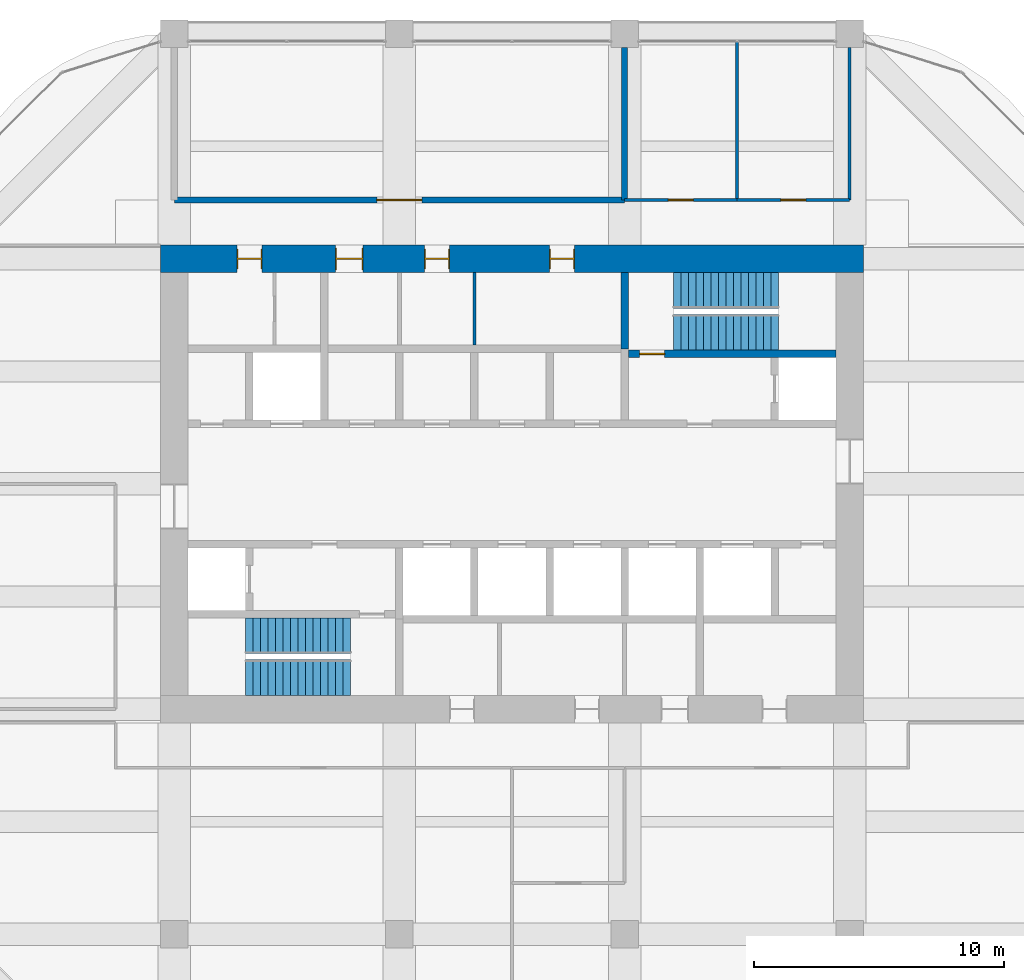
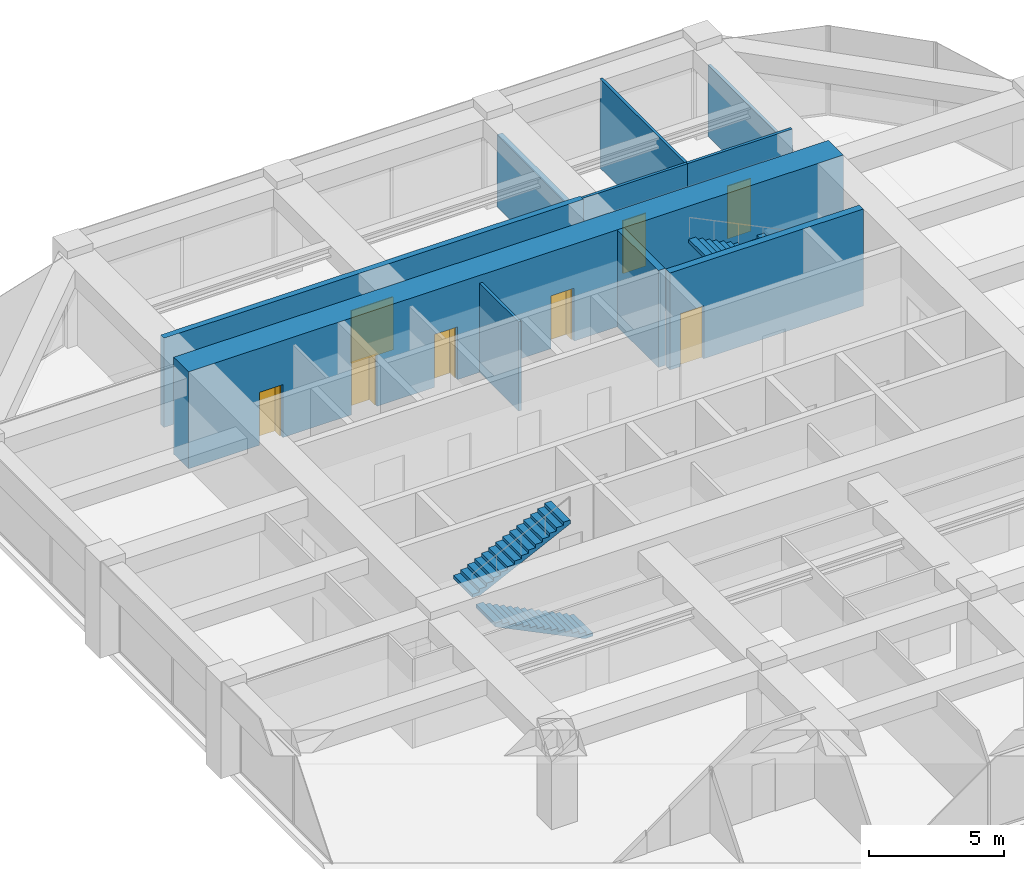
# One storey, part 43 of 44: 10 walls, 8 doors, 4 stair flights, 8 openings, 2 elements without a shape of their own.
"""IFC4 building model written with IfcOpenShell, lengths in metres."""

from ifc_helpers import new_model, si_unit, direction, frame, frame_2d, origin, place, context, subcontext, project, spatial, polyline, rectangle, outline, extrude, material, layer, layer_set, type_object, element, fill, aggregate, save


model = new_model("IFC4")

# Units and contexts
model_context = context("Model", 3, precision=1e-05, world=origin(), true_north=direction((0.0, 1.0)))
body_context = subcontext(model_context, "Body", "Model", "MODEL_VIEW")
ifc_project = project(units=[si_unit("LENGTHUNIT", "METRE"), si_unit("AREAUNIT", "SQUARE_METRE"), si_unit("VOLUMEUNIT", "CUBIC_METRE"), si_unit("PLANEANGLEUNIT", "RADIAN"), si_unit("MASSUNIT", "GRAM", prefix="KILO")], contexts=[model_context])

# Site, building, storey
site_placement = place(None, origin())
site = spatial("IfcSite", under=ifc_project, at=site_placement, CompositionType="ELEMENT")
building_placement = place(site_placement, origin())
building = spatial("IfcBuilding", under=site, at=building_placement, Name="Zorevar Civic Tower", CompositionType="ELEMENT")
storey_placement = place(building_placement, frame((0.0, 0.0, 307.39990234375)))
storey = spatial("IfcBuildingStorey", under=building, at=storey_placement, Name="L75", CompositionType="ELEMENT", Elevation=307.39990234375)

# Wall, opening, door
ifc_material_1 = material(Name="Twin-stud acoustic wall, gypsum board")
ifc_layer_1 = layer(ifc_material_1, 0.25)
ifc_layer_set_1 = layer_set([ifc_layer_1], Name="Acoustic wall 250")
wall_type_1 = type_object("IfcWallType", Name="Acoustic wall 250", PredefinedType="PARTITIONING", material=ifc_layer_set_1)
wall_1_placement = place(storey_placement, frame((18.0, 38.35009765625, 0.0), z_axis=(0.0, 0.0, 1.0), x_axis=(1.0, 0.0, 0.0)))
wall_1 = element("IfcWall", 1, at=wall_1_placement, inside=storey, type_object=wall_type_1, Name="Acoustic wall 250 L75", PredefinedType="PARTITIONING", context=body_context, shape_type="SweptSolid", body=[
    extrude(rectangle(XDim=18.0, YDim=0.25, at=frame_2d((9.0, 0.0))), origin(), (0.0, 0.0, 1.0), 4.050048828125),
])
opening_1_placement = place(wall_1_placement, frame((8.10009765625, 0.0, 0.0)))
opening_1 = element("IfcOpeningElement", 2, at=opening_1_placement, cuts=wall_1, Name="Opening L75.25", PredefinedType="OPENING", context=body_context, shape_type="SweptSolid", body=[
    extrude(rectangle(XDim=1.800048828125, YDim=2.39990234375, at=frame_2d((0.89990234375, 1.199951171875))), frame((0.0, 0.135009765625, 0.0), z_axis=(0.0, -1.0, 0.0), x_axis=(1.0, 0.0, 0.0)), (0.0, 0.0, 1.0), 0.27001953125),
])
ifc_material_2 = material(Name="Steel door set", Category="steel")
door_type_1 = type_object("IfcDoorType", Name="Door D2 1800x2400", OperationType="DOUBLE_DOOR_SINGLE_SWING", PredefinedType="DOOR", material=ifc_material_2)
door_1_placement = place(opening_1_placement, origin())
door_1 = element("IfcDoor", 3, at=door_1_placement, inside=storey, type_object=door_type_1, Name="Door L75 D1", OperationType="DOUBLE_DOOR_SINGLE_SWING", OverallHeight=2.39990234375, OverallWidth=1.800048828125, PredefinedType="DOOR", context=body_context, shape_type="SweptSolid", body=[
    extrude(rectangle(XDim=1.800048828125, YDim=2.39990234375, at=frame_2d((0.89990234375, 1.199951171875))), frame((0.0, 0.02490234375, 0.0), z_axis=(0.0, -1.0, 0.0), x_axis=(1.0, 0.0, 0.0)), (0.0, 0.0, 1.0), 0.050048828125),
])
fill(opening_1, door_1)

# Wall
wall_2_placement = place(storey_placement, frame((36.0, 38.35009765625, 0.0), z_axis=(0.0, 0.0, 1.0), x_axis=(0.0, 1.0, 0.0)))
element("IfcWall", 4, at=wall_2_placement, inside=storey, type_object=wall_type_1, Name="Acoustic wall 250 L75", PredefinedType="PARTITIONING", context=body_context, shape_type="SweptSolid", body=[
    extrude(rectangle(XDim=6.099853515625, YDim=0.25, at=frame_2d((3.0498046875, 0.0))), origin(), (0.0, 0.0, 1.0), 3.25),
])

# Wall, openings, doors
ifc_material_3 = material(Name="Concrete C50/60", Category="concrete")
ifc_layer_2 = layer(ifc_material_3, 1.10009765625)
ifc_layer_set_2 = layer_set([ifc_layer_2], Name="Core wall 1100")
wall_type_2 = type_object("IfcWallType", Name="Core wall 1100", PredefinedType="SHEAR", material=ifc_layer_set_2)
wall_3_placement = place(storey_placement, frame((45.550048828125, 36.0, 0.0), z_axis=(0.0, 0.0, 1.0), x_axis=(-1.0, 0.0, 0.0)))
wall_3 = element("IfcWall", 5, at=wall_3_placement, inside=storey, type_object=wall_type_2, Name="Core wall N L75", PredefinedType="SHEAR", context=body_context, shape_type="SweptSolid", body=[
    extrude(rectangle(XDim=28.10009765625, YDim=1.10009765625, at=frame_2d((14.050048828125, 0.0))), origin(), (0.0, 0.0, 1.0), 4.400146484375),
])
opening_2_placement = place(wall_3_placement, frame((11.550048828125, 0.0, 0.0)))
opening_2 = element("IfcOpeningElement", 6, at=opening_2_placement, cuts=wall_3, Name="Opening L75.07", PredefinedType="OPENING", context=body_context, shape_type="SweptSolid", body=[
    extrude(rectangle(XDim=1.0, YDim=2.39990234375, at=frame_2d((0.5, 1.199951171875))), frame((0.0, 0.56005859375, 0.0), z_axis=(0.0, -1.0, 0.0), x_axis=(1.0, 0.0, 0.0)), (0.0, 0.0, 1.0), 1.1201171875),
])
opening_3_placement = place(wall_3_placement, frame((16.550048828125, 0.0, 0.0)))
opening_3 = element("IfcOpeningElement", 7, at=opening_3_placement, cuts=wall_3, Name="Opening L75.08", PredefinedType="OPENING", context=body_context, shape_type="SweptSolid", body=[
    extrude(rectangle(XDim=1.0, YDim=2.39990234375, at=frame_2d((0.5, 1.199951171875))), frame((0.0, 0.56005859375, 0.0), z_axis=(0.0, -1.0, 0.0), x_axis=(1.0, 0.0, 0.0)), (0.0, 0.0, 1.0), 1.1201171875),
])
opening_4_placement = place(wall_3_placement, frame((20.0, 0.0, 0.0)))
opening_4 = element("IfcOpeningElement", 8, at=opening_4_placement, cuts=wall_3, Name="Opening L75.09", PredefinedType="OPENING", context=body_context, shape_type="SweptSolid", body=[
    extrude(rectangle(XDim=1.10009765625, YDim=2.39990234375, at=frame_2d((0.550048828125, 1.199951171875))), frame((0.0, 0.56005859375, 0.0), z_axis=(0.0, -1.0, 0.0), x_axis=(1.0, 0.0, 0.0)), (0.0, 0.0, 1.0), 1.1201171875),
])
opening_5_placement = place(wall_3_placement, frame((24.050048828125, 0.0, 0.0)))
opening_5 = element("IfcOpeningElement", 9, at=opening_5_placement, cuts=wall_3, Name="Opening L75.10", PredefinedType="OPENING", context=body_context, shape_type="SweptSolid", body=[
    extrude(rectangle(XDim=1.0, YDim=2.39990234375, at=frame_2d((0.5, 1.199951171875))), frame((0.0, 0.56005859375, 0.0), z_axis=(0.0, -1.0, 0.0), x_axis=(1.0, 0.0, 0.0)), (0.0, 0.0, 1.0), 1.1201171875),
])
ifc_material_4 = material(Name="Timber door set", Category="wood")
door_type_2 = type_object("IfcDoorType", Name="Door D1 1000x2400", OperationType="SINGLE_SWING_LEFT", PredefinedType="DOOR", material=ifc_material_4)
door_2_placement = place(opening_2_placement, origin())
door_2 = element("IfcDoor", 10, at=door_2_placement, inside=storey, type_object=door_type_2, Name="Door L75 06", OperationType="SINGLE_SWING_LEFT", OverallHeight=2.39990234375, OverallWidth=1.0, PredefinedType="DOOR", context=body_context, shape_type="SweptSolid", body=[
    extrude(rectangle(XDim=1.0, YDim=2.39990234375, at=frame_2d((0.5, 1.199951171875))), frame((0.0, 0.02490234375, 0.0), z_axis=(0.0, -1.0, 0.0), x_axis=(1.0, 0.0, 0.0)), (0.0, 0.0, 1.0), 0.050048828125),
    extrude(rectangle(XDim=0.04, YDim=2.39990234375, at=frame_2d((0.02001953125, 1.199951171875))), frame((0.0, 0.39990234375, 0.0), z_axis=(0.0, -1.0, 0.0), x_axis=(1.0, 0.0, 0.0)), (0.0, 0.0, 1.0), 0.800048828125),
    extrude(rectangle(XDim=0.04, YDim=2.39990234375, at=frame_2d((0.97998046875, 1.199951171875))), frame((0.0, 0.39990234375, 0.0), z_axis=(0.0, -1.0, 0.0), x_axis=(1.0, 0.0, 0.0)), (0.0, 0.0, 1.0), 0.800048828125),
    extrude(rectangle(XDim=1.0, YDim=0.04, at=frame_2d((0.5, 2.3798828125))), frame((0.0, 0.39990234375, 0.0), z_axis=(0.0, -1.0, 0.0), x_axis=(1.0, 0.0, 0.0)), (0.0, 0.0, 1.0), 0.800048828125),
])
fill(opening_2, door_2)
door_3_placement = place(opening_3_placement, origin())
door_3 = element("IfcDoor", 11, at=door_3_placement, inside=storey, type_object=door_type_2, Name="Door L75 07", OperationType="SINGLE_SWING_RIGHT", OverallHeight=2.39990234375, OverallWidth=1.0, PredefinedType="DOOR", context=body_context, shape_type="SweptSolid", body=[
    extrude(rectangle(XDim=1.0, YDim=2.39990234375, at=frame_2d((0.5, 1.199951171875))), frame((0.0, 0.02490234375, 0.0), z_axis=(0.0, -1.0, 0.0), x_axis=(1.0, 0.0, 0.0)), (0.0, 0.0, 1.0), 0.050048828125),
    extrude(rectangle(XDim=0.04, YDim=2.39990234375, at=frame_2d((0.02001953125, 1.199951171875))), frame((0.0, 0.39990234375, 0.0), z_axis=(0.0, -1.0, 0.0), x_axis=(1.0, 0.0, 0.0)), (0.0, 0.0, 1.0), 0.800048828125),
    extrude(rectangle(XDim=0.04, YDim=2.39990234375, at=frame_2d((0.97998046875, 1.199951171875))), frame((0.0, 0.39990234375, 0.0), z_axis=(0.0, -1.0, 0.0), x_axis=(1.0, 0.0, 0.0)), (0.0, 0.0, 1.0), 0.800048828125),
    extrude(rectangle(XDim=1.0, YDim=0.04, at=frame_2d((0.5, 2.3798828125))), frame((0.0, 0.39990234375, 0.0), z_axis=(0.0, -1.0, 0.0), x_axis=(1.0, 0.0, 0.0)), (0.0, 0.0, 1.0), 0.800048828125),
])
fill(opening_3, door_3)
door_4_placement = place(opening_5_placement, origin())
door_4 = element("IfcDoor", 12, at=door_4_placement, inside=storey, type_object=door_type_2, Name="Door L75 09", OperationType="SINGLE_SWING_RIGHT", OverallHeight=2.39990234375, OverallWidth=1.0, PredefinedType="DOOR", context=body_context, shape_type="SweptSolid", body=[
    extrude(rectangle(XDim=1.0, YDim=2.39990234375, at=frame_2d((0.5, 1.199951171875))), frame((0.0, 0.02490234375, 0.0), z_axis=(0.0, -1.0, 0.0), x_axis=(1.0, 0.0, 0.0)), (0.0, 0.0, 1.0), 0.050048828125),
    extrude(rectangle(XDim=0.04, YDim=2.39990234375, at=frame_2d((0.02001953125, 1.199951171875))), frame((0.0, 0.39990234375, 0.0), z_axis=(0.0, -1.0, 0.0), x_axis=(1.0, 0.0, 0.0)), (0.0, 0.0, 1.0), 0.800048828125),
    extrude(rectangle(XDim=0.04, YDim=2.39990234375, at=frame_2d((0.97998046875, 1.199951171875))), frame((0.0, 0.39990234375, 0.0), z_axis=(0.0, -1.0, 0.0), x_axis=(1.0, 0.0, 0.0)), (0.0, 0.0, 1.0), 0.800048828125),
    extrude(rectangle(XDim=1.0, YDim=0.04, at=frame_2d((0.5, 2.3798828125))), frame((0.0, 0.39990234375, 0.0), z_axis=(0.0, -1.0, 0.0), x_axis=(1.0, 0.0, 0.0)), (0.0, 0.0, 1.0), 0.800048828125),
])
fill(opening_5, door_4)
ifc_material_5 = material(Name="Timber door set", Category="wood")
door_type_3 = type_object("IfcDoorType", Name="Door D5 1100x2400", OperationType="SINGLE_SWING_LEFT", PredefinedType="DOOR", material=ifc_material_5)
door_5_placement = place(opening_4_placement, origin())
door_5 = element("IfcDoor", 13, at=door_5_placement, inside=storey, type_object=door_type_3, Name="Door L75 08", OperationType="SINGLE_SWING_RIGHT", OverallHeight=2.39990234375, OverallWidth=1.10009765625, PredefinedType="DOOR", context=body_context, shape_type="SweptSolid", body=[
    extrude(rectangle(XDim=1.10009765625, YDim=2.39990234375, at=frame_2d((0.550048828125, 1.199951171875))), frame((0.0, 0.02490234375, 0.0), z_axis=(0.0, -1.0, 0.0), x_axis=(1.0, 0.0, 0.0)), (0.0, 0.0, 1.0), 0.050048828125),
    extrude(rectangle(XDim=0.04, YDim=2.39990234375, at=frame_2d((0.02001953125, 1.199951171875))), frame((0.0, 0.43994140625, 0.0), z_axis=(0.0, -1.0, 0.0), x_axis=(1.0, 0.0, 0.0)), (0.0, 0.0, 1.0), 0.880126953125),
    extrude(rectangle(XDim=0.04, YDim=2.39990234375, at=frame_2d((1.080078125, 1.199951171875))), frame((0.0, 0.43994140625, 0.0), z_axis=(0.0, -1.0, 0.0), x_axis=(1.0, 0.0, 0.0)), (0.0, 0.0, 1.0), 0.880126953125),
    extrude(rectangle(XDim=1.10009765625, YDim=0.04, at=frame_2d((0.550048828125, 2.3798828125))), frame((0.0, 0.43994140625, 0.0), z_axis=(0.0, -1.0, 0.0), x_axis=(1.0, 0.0, 0.0)), (0.0, 0.0, 1.0), 0.880126953125),
])
fill(opening_4, door_5)

# Wall, opening, door
ifc_material_6 = material(Name="Concrete C40/50", Category="concrete")
ifc_layer_3 = layer(ifc_material_6, 0.300048828125)
ifc_layer_set_3 = layer_set([ifc_layer_3], Name="Inner core wall 300")
wall_type_3 = type_object("IfcWallType", Name="Inner core wall 300", PredefinedType="SHEAR", material=ifc_layer_set_3)
wall_4_placement = place(storey_placement, frame((36.14990234375, 32.199951171875, 0.0), z_axis=(0.0, 0.0, 1.0), x_axis=(1.0, 0.0, 0.0)))
wall_4 = element("IfcWall", 14, at=wall_4_placement, inside=storey, type_object=wall_type_3, Name="Inner core wall N00 L75", PredefinedType="SHEAR", context=body_context, shape_type="SweptSolid", body=[
    extrude(rectangle(XDim=8.300048828125, YDim=0.300048828125, at=frame_2d((4.14990234375, 0.0))), origin(), (0.0, 0.0, 1.0), 4.400146484375),
])
opening_6_placement = place(wall_4_placement, frame((0.449951171875, 0.0, 0.0)))
opening_6 = element("IfcOpeningElement", 15, at=opening_6_placement, cuts=wall_4, Name="Opening L75.12", PredefinedType="OPENING", context=body_context, shape_type="SweptSolid", body=[
    extrude(rectangle(XDim=1.0, YDim=2.39990234375, at=frame_2d((0.5, 1.199951171875))), frame((0.0, 0.159912109375, 0.0), z_axis=(0.0, -1.0, 0.0), x_axis=(1.0, 0.0, 0.0)), (0.0, 0.0, 1.0), 0.320068359375),
])
ifc_material_7 = material(Name="Steel door set", Category="steel")
door_type_4 = type_object("IfcDoorType", Name="Fire door FD1 1000x2400", OperationType="SINGLE_SWING_LEFT", PredefinedType="DOOR", material=ifc_material_7)
door_6_placement = place(opening_6_placement, origin())
door_6 = element("IfcDoor", 16, at=door_6_placement, inside=storey, type_object=door_type_4, Name="Door L75 11", OperationType="SINGLE_SWING_RIGHT", OverallHeight=2.39990234375, OverallWidth=1.0, PredefinedType="DOOR", context=body_context, shape_type="SweptSolid", body=[
    extrude(rectangle(XDim=1.0, YDim=2.39990234375, at=frame_2d((0.5, 1.199951171875))), frame((0.0, 0.030029296875, 0.0), z_axis=(0.0, -1.0, 0.0), x_axis=(1.0, 0.0, 0.0)), (0.0, 0.0, 1.0), 0.06005859375),
])
fill(opening_6, door_6)

# Wall
wall_5_placement = place(storey_placement, frame((36.0, 32.39990234375, 0.0), z_axis=(0.0, 0.0, 1.0), x_axis=(0.0, 1.0, 0.0)))
element("IfcWall", 17, at=wall_5_placement, inside=storey, type_object=wall_type_3, Name="Inner core wall N01 L75", PredefinedType="SHEAR", context=body_context, shape_type="SweptSolid", body=[
    extrude(rectangle(XDim=3.050048828125, YDim=0.300048828125, at=frame_2d((1.52490234375, 0.0))), origin(), (0.0, 0.0, 1.0), 4.400146484375),
])

# Wall, opening, door
ifc_material_8 = material(Name="Gypsum board on steel studs", Category="steel")
ifc_layer_4 = layer(ifc_material_8, 0.1201171875)
ifc_layer_set_4 = layer_set([ifc_layer_4], Name="Partition 120")
wall_type_4 = type_object("IfcWallType", Name="Partition 120", PredefinedType="PARTITIONING", material=ifc_layer_set_4)
wall_6_placement = place(storey_placement, frame((36.0, 38.35009765625, 0.0), z_axis=(0.0, 0.0, 1.0), x_axis=(1.0, 0.0, 0.0)))
wall_6 = element("IfcWall", 18, at=wall_6_placement, inside=storey, type_object=wall_type_4, Name="Partition 120 L75", PredefinedType="PARTITIONING", context=body_context, shape_type="SweptSolid", body=[
    extrude(rectangle(XDim=4.5, YDim=0.1201171875, at=frame_2d((2.25, 0.0))), origin(), (0.0, 0.0, 1.0), 4.050048828125),
])
opening_7_placement = place(wall_6_placement, frame((1.75, 0.0, 0.0)))
opening_7 = element("IfcOpeningElement", 19, at=opening_7_placement, cuts=wall_6, Name="Opening L75.26", PredefinedType="OPENING", context=body_context, shape_type="SweptSolid", body=[
    extrude(rectangle(XDim=1.0, YDim=2.39990234375, at=frame_2d((0.5, 1.199951171875))), frame((0.0, 0.070068359375, 0.0), z_axis=(0.0, -1.0, 0.0), x_axis=(1.0, 0.0, 0.0)), (0.0, 0.0, 1.0), 0.14013671875),
])
door_7_placement = place(opening_7_placement, origin())
door_7 = element("IfcDoor", 20, at=door_7_placement, inside=storey, type_object=door_type_2, Name="Door L75 D1", OperationType="SINGLE_SWING_RIGHT", OverallHeight=2.39990234375, OverallWidth=1.0, PredefinedType="DOOR", context=body_context, shape_type="SweptSolid", body=[
    extrude(rectangle(XDim=1.0, YDim=2.39990234375, at=frame_2d((0.5, 1.199951171875))), frame((0.0, 0.02490234375, 0.0), z_axis=(0.0, -1.0, 0.0), x_axis=(1.0, 0.0, 0.0)), (0.0, 0.0, 1.0), 0.050048828125),
])
fill(opening_7, door_7)

wall_7_placement = place(storey_placement, frame((40.5, 38.35009765625, 0.0), z_axis=(0.0, 0.0, 1.0), x_axis=(1.0, 0.0, 0.0)))
wall_7 = element("IfcWall", 21, at=wall_7_placement, inside=storey, type_object=wall_type_4, Name="Partition 120 L75", PredefinedType="PARTITIONING", context=body_context, shape_type="SweptSolid", body=[
    extrude(rectangle(XDim=4.5, YDim=0.1201171875, at=frame_2d((2.25, 0.0))), origin(), (0.0, 0.0, 1.0), 4.050048828125),
])
opening_8_placement = place(wall_7_placement, frame((1.75, 0.0, 0.0)))
opening_8 = element("IfcOpeningElement", 22, at=opening_8_placement, cuts=wall_7, Name="Opening L75.27", PredefinedType="OPENING", context=body_context, shape_type="SweptSolid", body=[
    extrude(rectangle(XDim=1.0, YDim=2.39990234375, at=frame_2d((0.5, 1.199951171875))), frame((0.0, 0.070068359375, 0.0), z_axis=(0.0, -1.0, 0.0), x_axis=(1.0, 0.0, 0.0)), (0.0, 0.0, 1.0), 0.14013671875),
])
door_8_placement = place(opening_8_placement, origin())
door_8 = element("IfcDoor", 23, at=door_8_placement, inside=storey, type_object=door_type_2, Name="Door L75 D1", OperationType="SINGLE_SWING_RIGHT", OverallHeight=2.39990234375, OverallWidth=1.0, PredefinedType="DOOR", context=body_context, shape_type="SweptSolid", body=[
    extrude(rectangle(XDim=1.0, YDim=2.39990234375, at=frame_2d((0.5, 1.199951171875))), frame((0.0, 0.02490234375, 0.0), z_axis=(0.0, -1.0, 0.0), x_axis=(1.0, 0.0, 0.0)), (0.0, 0.0, 1.0), 0.050048828125),
])
fill(opening_8, door_8)

# Walls
wall_8_placement = place(storey_placement, frame((40.5, 38.35009765625, 0.0), z_axis=(0.0, 0.0, 1.0), x_axis=(0.0, 1.0, 0.0)))
element("IfcWall", 24, at=wall_8_placement, inside=storey, type_object=wall_type_4, Name="Partition 120 L75", PredefinedType="PARTITIONING", context=body_context, shape_type="SweptSolid", body=[
    extrude(rectangle(XDim=6.33984375, YDim=0.1201171875, at=frame_2d((3.169921875, 0.0))), origin(), (0.0, 0.0, 1.0), 4.050048828125),
])
wall_9_placement = place(storey_placement, frame((45.0, 38.35009765625, 0.0), z_axis=(0.0, 0.0, 1.0), x_axis=(0.0, 1.0, 0.0)))
element("IfcWall", 25, at=wall_9_placement, inside=storey, type_object=wall_type_4, Name="Partition 120 L75", PredefinedType="PARTITIONING", context=body_context, shape_type="SweptSolid", body=[
    extrude(rectangle(XDim=6.099853515625, YDim=0.1201171875, at=frame_2d((3.0498046875, 0.0))), origin(), (0.0, 0.0, 1.0), 3.25),
])
wall_10_placement = place(storey_placement, frame((30.0, 32.550048828125, 0.0), z_axis=(0.0, 0.0, 1.0), x_axis=(0.0, 1.0, 0.0)))
element("IfcWall", 26, at=wall_10_placement, inside=storey, type_object=wall_type_4, Name="Partition L75", PredefinedType="PARTITIONING", context=body_context, shape_type="SweptSolid", body=[
    extrude(rectangle(XDim=2.89990234375, YDim=0.1201171875, at=frame_2d((1.449951171875, 0.0))), origin(), (0.0, 0.0, 1.0), 4.050048828125),
])

# Stair, stair flights
ifc_material_9 = material(Name="Precast concrete C40/50", Category="concrete")
stair_type = type_object("IfcStairType", Name="Stair ST 30R", PredefinedType="HALF_TURN_STAIR", material=ifc_material_9)
stair_1_placement = place(storey_placement, origin())
stair_1 = element("IfcStair", 27, at=stair_1_placement, inside=storey, type_object=stair_type, Name="Stair ST1 L75", PredefinedType="HALF_TURN_STAIR")
ifc_material_10 = material(Name="Precast concrete C40/50", Category="concrete")
stair_flight_type = type_object("IfcStairFlightType", Name="Stair flight", PredefinedType="STRAIGHT", material=ifc_material_10)
stair_flight_1_placement = place(storey_placement, frame((25.050048828125, 19.262451171875, 0.0), z_axis=(0.0, 0.0, 1.0), x_axis=(-1.0, 0.0, 0.0)))
stair_flight_1 = element("IfcStairFlight", 28, at=stair_flight_1_placement, type_object=stair_flight_type, Name="ST1 flight 1", NumberOfRisers=15, NumberOfTreads=14, PredefinedType="STRAIGHT", RiserHeight=0.146666667, TreadLength=0.3, context=body_context, shape_type="SweptSolid", body=[
    extrude(outline(polyline([(0.0, 0.0), (0.0, 0.146728515625), (0.300048828125, 0.146728515625), (0.300048828125, 0.293212890625), (0.60009765625, 0.293212890625), (0.60009765625, 0.43994140625), (0.89990234375, 0.43994140625), (0.89990234375, 0.586669921875), (1.199951171875, 0.586669921875), (1.199951171875, 0.7333984375), (1.5, 0.7333984375), (1.5, 0.8798828125), (1.800048828125, 0.8798828125), (1.800048828125, 1.026611328125), (2.10009765625, 1.026611328125), (2.10009765625, 1.17333984375), (2.39990234375, 1.17333984375), (2.39990234375, 1.320068359375), (2.699951171875, 1.320068359375), (2.699951171875, 1.466552734375), (3.0, 1.466552734375), (3.0, 1.61328125), (3.300048828125, 1.61328125), (3.300048828125, 1.760009765625), (3.60009765625, 1.760009765625), (3.60009765625, 1.90673828125), (3.89990234375, 1.90673828125), (3.89990234375, 2.05322265625), (4.199951171875, 2.05322265625), (4.199951171875, 2.199951171875), (4.199951171875, 1.886474609375), (0.34130859375, 0.0), (0.0, 0.0)])), frame((0.0, 0.71240234375, 0.0), z_axis=(0.0, -1.0, 0.0), x_axis=(1.0, 0.0, 0.0)), (0.0, 0.0, 1.0), 1.425048828125),
])
stair_flight_2_placement = place(storey_placement, frame((20.85009765625, 20.9375, 2.2001953125), z_axis=(0.0, 0.0, 1.0), x_axis=(1.0, 0.0, 0.0)))
stair_flight_2 = element("IfcStairFlight", 29, at=stair_flight_2_placement, type_object=stair_flight_type, Name="ST1 flight 2", NumberOfRisers=15, NumberOfTreads=14, PredefinedType="STRAIGHT", RiserHeight=0.146666667, TreadLength=0.3, context=body_context, shape_type="SweptSolid", body=[
    extrude(outline(polyline([(0.0, 0.0), (0.0, 0.146728515625), (0.300048828125, 0.146728515625), (0.300048828125, 0.293212890625), (0.60009765625, 0.293212890625), (0.60009765625, 0.43994140625), (0.89990234375, 0.43994140625), (0.89990234375, 0.586669921875), (1.199951171875, 0.586669921875), (1.199951171875, 0.7333984375), (1.5, 0.7333984375), (1.5, 0.8798828125), (1.800048828125, 0.8798828125), (1.800048828125, 1.026611328125), (2.10009765625, 1.026611328125), (2.10009765625, 1.17333984375), (2.39990234375, 1.17333984375), (2.39990234375, 1.320068359375), (2.699951171875, 1.320068359375), (2.699951171875, 1.466552734375), (3.0, 1.466552734375), (3.0, 1.61328125), (3.300048828125, 1.61328125), (3.300048828125, 1.760009765625), (3.60009765625, 1.760009765625), (3.60009765625, 1.90673828125), (3.89990234375, 1.90673828125), (3.89990234375, 2.05322265625), (4.199951171875, 2.05322265625), (4.199951171875, 2.199951171875), (4.199951171875, 1.886474609375), (0.34130859375, 0.0), (0.0, 0.0)])), frame((0.0, 0.71240234375, 0.0), z_axis=(0.0, -1.0, 0.0), x_axis=(1.0, 0.0, 0.0)), (0.0, 0.0, 1.0), 1.425048828125),
])
aggregate(stair_1, [stair_flight_1, stair_flight_2])

stair_2_placement = place(storey_placement, origin())
stair_2 = element("IfcStair", 30, at=stair_2_placement, inside=storey, type_object=stair_type, Name="Stair ST2 L75", PredefinedType="HALF_TURN_STAIR")
stair_flight_3_placement = place(storey_placement, frame((37.949951171875, 34.737548828125, 0.0), z_axis=(0.0, 0.0, 1.0), x_axis=(1.0, 0.0, 0.0)))
stair_flight_3 = element("IfcStairFlight", 31, at=stair_flight_3_placement, type_object=stair_flight_type, Name="ST2 flight 1", NumberOfRisers=15, NumberOfTreads=14, PredefinedType="STRAIGHT", RiserHeight=0.146666667, TreadLength=0.3, context=body_context, shape_type="SweptSolid", body=[
    extrude(outline(polyline([(0.0, 0.0), (0.0, 0.146728515625), (0.300048828125, 0.146728515625), (0.300048828125, 0.293212890625), (0.60009765625, 0.293212890625), (0.60009765625, 0.43994140625), (0.89990234375, 0.43994140625), (0.89990234375, 0.586669921875), (1.199951171875, 0.586669921875), (1.199951171875, 0.7333984375), (1.5, 0.7333984375), (1.5, 0.8798828125), (1.800048828125, 0.8798828125), (1.800048828125, 1.026611328125), (2.10009765625, 1.026611328125), (2.10009765625, 1.17333984375), (2.39990234375, 1.17333984375), (2.39990234375, 1.320068359375), (2.699951171875, 1.320068359375), (2.699951171875, 1.466552734375), (3.0, 1.466552734375), (3.0, 1.61328125), (3.300048828125, 1.61328125), (3.300048828125, 1.760009765625), (3.60009765625, 1.760009765625), (3.60009765625, 1.90673828125), (3.89990234375, 1.90673828125), (3.89990234375, 2.05322265625), (4.199951171875, 2.05322265625), (4.199951171875, 2.199951171875), (4.199951171875, 1.886474609375), (0.34130859375, 0.0), (0.0, 0.0)])), frame((0.0, 0.71240234375, 0.0), z_axis=(0.0, -1.0, 0.0), x_axis=(1.0, 0.0, 0.0)), (0.0, 0.0, 1.0), 1.425048828125),
])
stair_flight_4_placement = place(storey_placement, frame((42.14990234375, 33.0625, 2.2001953125), z_axis=(0.0, 0.0, 1.0), x_axis=(-1.0, 0.0, 0.0)))
stair_flight_4 = element("IfcStairFlight", 32, at=stair_flight_4_placement, type_object=stair_flight_type, Name="ST2 flight 2", NumberOfRisers=15, NumberOfTreads=14, PredefinedType="STRAIGHT", RiserHeight=0.146666667, TreadLength=0.3, context=body_context, shape_type="SweptSolid", body=[
    extrude(outline(polyline([(0.0, 0.0), (0.0, 0.146728515625), (0.300048828125, 0.146728515625), (0.300048828125, 0.293212890625), (0.60009765625, 0.293212890625), (0.60009765625, 0.43994140625), (0.89990234375, 0.43994140625), (0.89990234375, 0.586669921875), (1.199951171875, 0.586669921875), (1.199951171875, 0.7333984375), (1.5, 0.7333984375), (1.5, 0.8798828125), (1.800048828125, 0.8798828125), (1.800048828125, 1.026611328125), (2.10009765625, 1.026611328125), (2.10009765625, 1.17333984375), (2.39990234375, 1.17333984375), (2.39990234375, 1.320068359375), (2.699951171875, 1.320068359375), (2.699951171875, 1.466552734375), (3.0, 1.466552734375), (3.0, 1.61328125), (3.300048828125, 1.61328125), (3.300048828125, 1.760009765625), (3.60009765625, 1.760009765625), (3.60009765625, 1.90673828125), (3.89990234375, 1.90673828125), (3.89990234375, 2.05322265625), (4.199951171875, 2.05322265625), (4.199951171875, 2.199951171875), (4.199951171875, 1.886474609375), (0.34130859375, 0.0), (0.0, 0.0)])), frame((0.0, 0.71240234375, 0.0), z_axis=(0.0, -1.0, 0.0), x_axis=(1.0, 0.0, 0.0)), (0.0, 0.0, 1.0), 1.425048828125),
])
aggregate(stair_2, [stair_flight_3, stair_flight_4])

save(model, "model.ifc")
